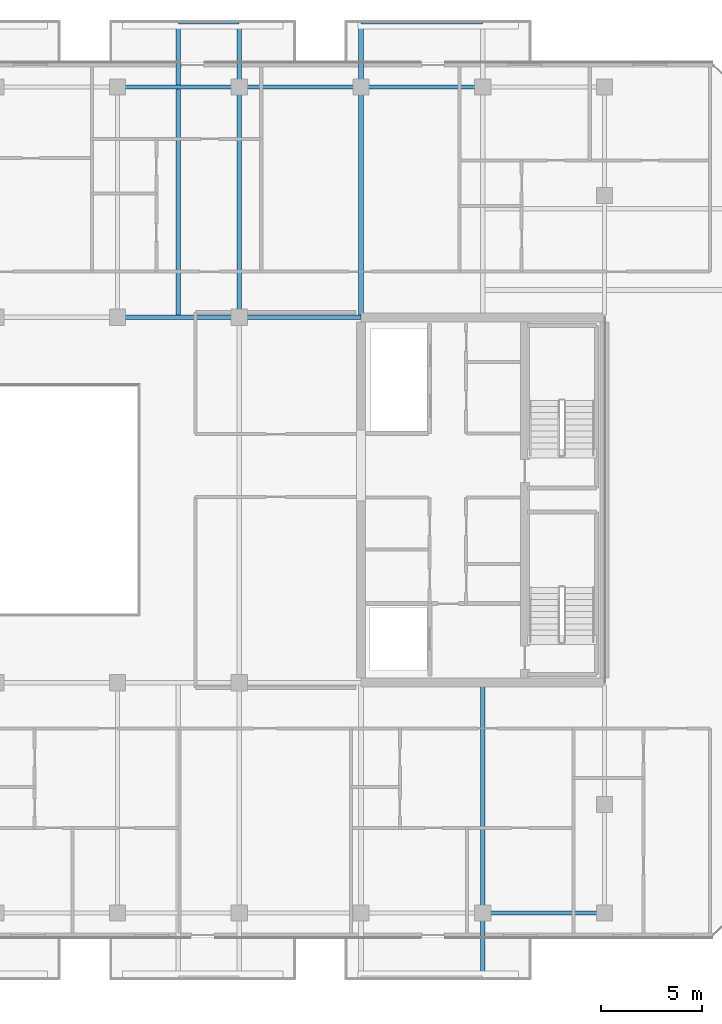
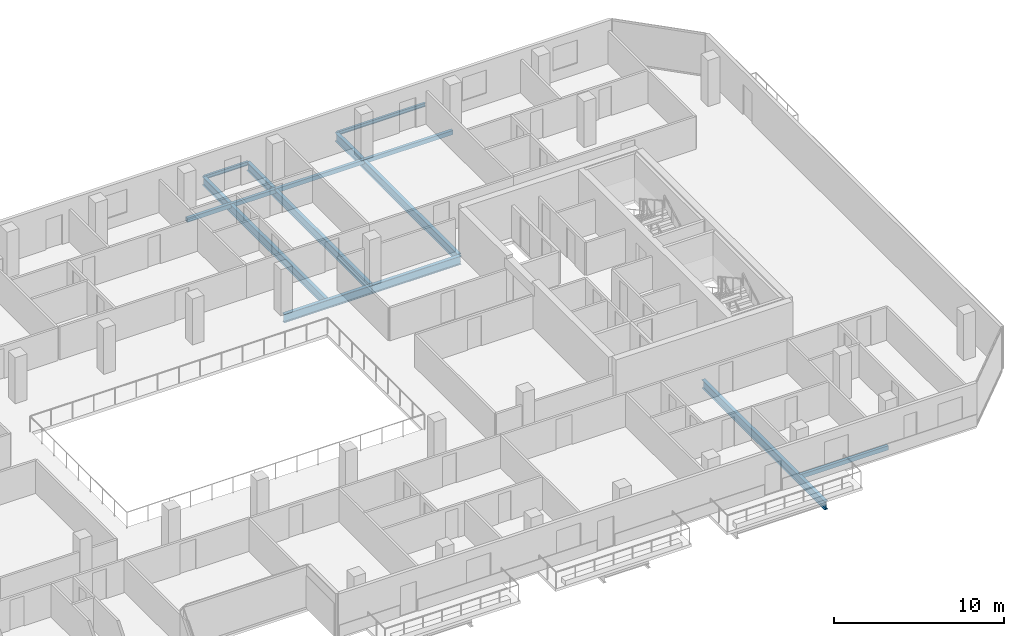
# One storey, part 13 of 29: 12 beams.
"""IFC4 building model written with IfcOpenShell, lengths in metres."""

from ifc_helpers import new_model, si_unit, direction, frame, origin, origin_2d, place, context, subcontext, project, spatial, hollow_rectangle, i_section, extrude, material, material_profile, profile_set, type_object, element, save


model = new_model("IFC4")

# Units and contexts
model_context = context("Model", 3, precision=1e-05, world=origin(), true_north=direction((0.0, 1.0)))
body_context = subcontext(model_context, "Body", "Model", "MODEL_VIEW")
ifc_project = project(units=[si_unit("LENGTHUNIT", "METRE"), si_unit("AREAUNIT", "SQUARE_METRE"), si_unit("VOLUMEUNIT", "CUBIC_METRE"), si_unit("PLANEANGLEUNIT", "RADIAN"), si_unit("MASSUNIT", "GRAM", prefix="KILO")], contexts=[model_context])

# Site, building, storey
site_placement = place(None, origin())
site = spatial("IfcSite", under=ifc_project, at=site_placement, CompositionType="ELEMENT")
building_placement = place(site_placement, origin())
building = spatial("IfcBuilding", under=site, at=building_placement, Name="Tanjung Sevakor Pilgrim Tower", CompositionType="ELEMENT")
storey_placement = place(building_placement, frame((0.0, 0.0, 188.429931640625)))
storey = spatial("IfcBuildingStorey", under=building, at=storey_placement, Name="L52", CompositionType="ELEMENT", Elevation=188.429931640625)

# Beams
ifc_material_1 = material(Name="Steel S355J2", Category="steel")
ifc_material_profile_1 = material_profile(ifc_material_1, i_section(OverallWidth=0.22900390625, OverallDepth=0.6123046875, WebThickness=0.011962890625, FlangeThickness=0.01953125, FilletRadius=0.0126953125, at=origin_2d()))
ifc_profile_set_1 = profile_set([ifc_material_profile_1], Name="Steel S355J2")
beam_type_1 = type_object("IfcBeamType", Name="BM-B-G4-UB_610x229x125", PredefinedType="BEAM", material=ifc_profile_set_1)
for number, where, z_axis, x_axis, name in (
    (1, (66.0, 42.60009765625, -0.526123046875), (1.0, 0.0, 0.0), (0.0, 1.0, 0.0), "L52 Primary Floor Girder MAIN Y426-07"),
    (2, (72.0, 42.60009765625, -0.526123046875), (1.0, 0.0, 0.0), (0.0, 1.0, 0.0), "L52 Primary Floor Girder MAIN Y426-08"),
):
    element("IfcBeam", number, at=place(storey_placement, frame(where, z_axis=z_axis, x_axis=x_axis)), inside=storey, type_object=beam_type_1, Name=name, PredefinedType="BEAM", context=body_context, shape_type="SweptSolid", body=[
        extrude(i_section(OverallWidth=0.22900390625, OverallDepth=0.6123046875, WebThickness=0.011962890625, FlangeThickness=0.01953125, FilletRadius=0.0126953125, at=origin_2d()), origin(), (0.0, 0.0, 1.0), 6.0),
    ])
beam_1_placement = place(storey_placement, frame((69.0, 42.714599609375, -0.526123046875), z_axis=(0.0, 1.0, 0.0), x_axis=(-1.0, 0.0, 0.0)))
element("IfcBeam", 3, at=beam_1_placement, inside=storey, type_object=beam_type_1, Name="L52 Balcony Cantilever Beam MAIN-N3-1", PredefinedType="BEAM", context=body_context, shape_type="SweptSolid", body=[
    extrude(i_section(OverallWidth=0.22900390625, OverallDepth=0.6123046875, WebThickness=0.011962890625, FlangeThickness=0.01953125, FilletRadius=0.0126953125, at=origin_2d()), origin(), (0.0, 0.0, 1.0), 14.415283203125),
])
beam_2_placement = place(storey_placement, frame((72.0, 42.60009765625, -0.526123046875), z_axis=(0.0, 1.0, 0.0), x_axis=(-1.0, 0.0, 0.0)))
element("IfcBeam", 4, at=beam_2_placement, inside=storey, type_object=beam_type_1, Name="L52 Balcony Cantilever Beam MAIN-N3-2", PredefinedType="BEAM", context=body_context, shape_type="SweptSolid", body=[
    extrude(i_section(OverallWidth=0.22900390625, OverallDepth=0.6123046875, WebThickness=0.011962890625, FlangeThickness=0.01953125, FilletRadius=0.0126953125, at=origin_2d()), origin(), (0.0, 0.0, 1.0), 14.52978515625),
])
beam_3_placement = place(storey_placement, frame((78.0, 42.714599609375, -0.526123046875), z_axis=(0.0, 1.0, 0.0), x_axis=(-1.0, 0.0, 0.0)))
element("IfcBeam", 5, at=beam_3_placement, inside=storey, type_object=beam_type_1, Name="L52 Balcony Cantilever Beam MAIN-N4-1", PredefinedType="BEAM", context=body_context, shape_type="SweptSolid", body=[
    extrude(i_section(OverallWidth=0.22900390625, OverallDepth=0.6123046875, WebThickness=0.011962890625, FlangeThickness=0.01953125, FilletRadius=0.0126953125, at=origin_2d()), origin(), (0.0, 0.0, 1.0), 14.415283203125),
])
beam_4_placement = place(storey_placement, frame((84.0, 24.485595703125, -0.526123046875), z_axis=(0.0, -1.0, 0.0), x_axis=(1.0, 0.0, 0.0)))
element("IfcBeam", 6, at=beam_4_placement, inside=storey, type_object=beam_type_1, Name="L52 Balcony Cantilever Beam MAIN-S4-2", PredefinedType="BEAM", context=body_context, shape_type="SweptSolid", body=[
    extrude(i_section(OverallWidth=0.22900390625, OverallDepth=0.6123046875, WebThickness=0.011962890625, FlangeThickness=0.01953125, FilletRadius=0.0126953125, at=origin_2d()), origin(), (0.0, 0.0, 1.0), 14.41552734375),
])
ifc_material_2 = material(Name="Steel S355J2", Category="steel")
ifc_material_profile_2 = material_profile(ifc_material_2, i_section(OverallWidth=0.146484375, OverallDepth=0.256103515625, WebThickness=0.00634765625, FlangeThickness=0.010986328125, FilletRadius=0.007568359375, at=origin_2d()))
ifc_profile_set_2 = profile_set([ifc_material_profile_2], Name="Steel S355J2")
beam_type_2 = type_object("IfcBeamType", Name="BM-B-J6-UB_254x146x37", PredefinedType="JOIST", material=ifc_profile_set_2)
beam_5_placement = place(storey_placement, frame((69.0, 57.1298828125, -0.327880859375), z_axis=(1.0, 0.0, 0.0), x_axis=(0.0, 1.0, 0.0)))
element("IfcBeam", 7, at=beam_5_placement, inside=storey, type_object=beam_type_2, Name="L52 Balcony Rim Tie MAIN-N3", PredefinedType="JOIST", context=body_context, shape_type="SweptSolid", body=[
    extrude(i_section(OverallWidth=0.146484375, OverallDepth=0.256103515625, WebThickness=0.00634765625, FlangeThickness=0.010986328125, FilletRadius=0.007568359375, at=origin_2d()), origin(), (0.0, 0.0, 1.0), 3.0),
])
beam_6_placement = place(storey_placement, frame((78.0, 57.1298828125, -0.327880859375), z_axis=(1.0, 0.0, 0.0), x_axis=(0.0, 1.0, 0.0)))
element("IfcBeam", 8, at=beam_6_placement, inside=storey, type_object=beam_type_2, Name="L52 Balcony Rim Tie MAIN-N4", PredefinedType="JOIST", context=body_context, shape_type="SweptSolid", body=[
    extrude(i_section(OverallWidth=0.146484375, OverallDepth=0.256103515625, WebThickness=0.00634765625, FlangeThickness=0.010986328125, FilletRadius=0.007568359375, at=origin_2d()), origin(), (0.0, 0.0, 1.0), 6.0),
])
ifc_material_3 = material(Name="Steel S355J2", Category="steel")
ifc_material_profile_3 = material_profile(ifc_material_3, hollow_rectangle(XDim=0.199951171875, YDim=0.300048828125, WallThickness=0.012451171875, at=origin_2d()))
ifc_profile_set_3 = profile_set([ifc_material_profile_3], Name="Steel S355J2")
beam_type_3 = type_object("IfcBeamType", Name="BM-B-SP3-RHS_300x200x12.5", PredefinedType="SPANDREL", material=ifc_profile_set_3)
for number, where, z_axis, x_axis, name in (
    (9, (66.0, 53.949951171875, -0.369873046875), (1.0, 0.0, 0.0), (0.0, 1.0, 0.0), "L52 Spandrel MAIN N-10"),
    (10, (72.0, 53.949951171875, -0.369873046875), (1.0, 0.0, 0.0), (0.0, 1.0, 0.0), "L52 Spandrel MAIN N-12"),
    (11, (78.0, 53.949951171875, -0.369873046875), (1.0, 0.0, 0.0), (0.0, 1.0, 0.0), "L52 Spandrel MAIN N-14"),
    (12, (84.0, 13.25, -0.369873046875), (1.0, 0.0, 0.0), (0.0, 1.0, 0.0), "L52 Spandrel MAIN S-15"),
):
    element("IfcBeam", number, at=place(storey_placement, frame(where, z_axis=z_axis, x_axis=x_axis)), inside=storey, type_object=beam_type_3, Name=name, PredefinedType="SPANDREL", context=body_context, shape_type="SweptSolid", body=[
        extrude(hollow_rectangle(XDim=0.199951171875, YDim=0.300048828125, WallThickness=0.012451171875, at=origin_2d()), origin(), (0.0, 0.0, 1.0), 6.0),
    ])

save(model, "model.ifc")
